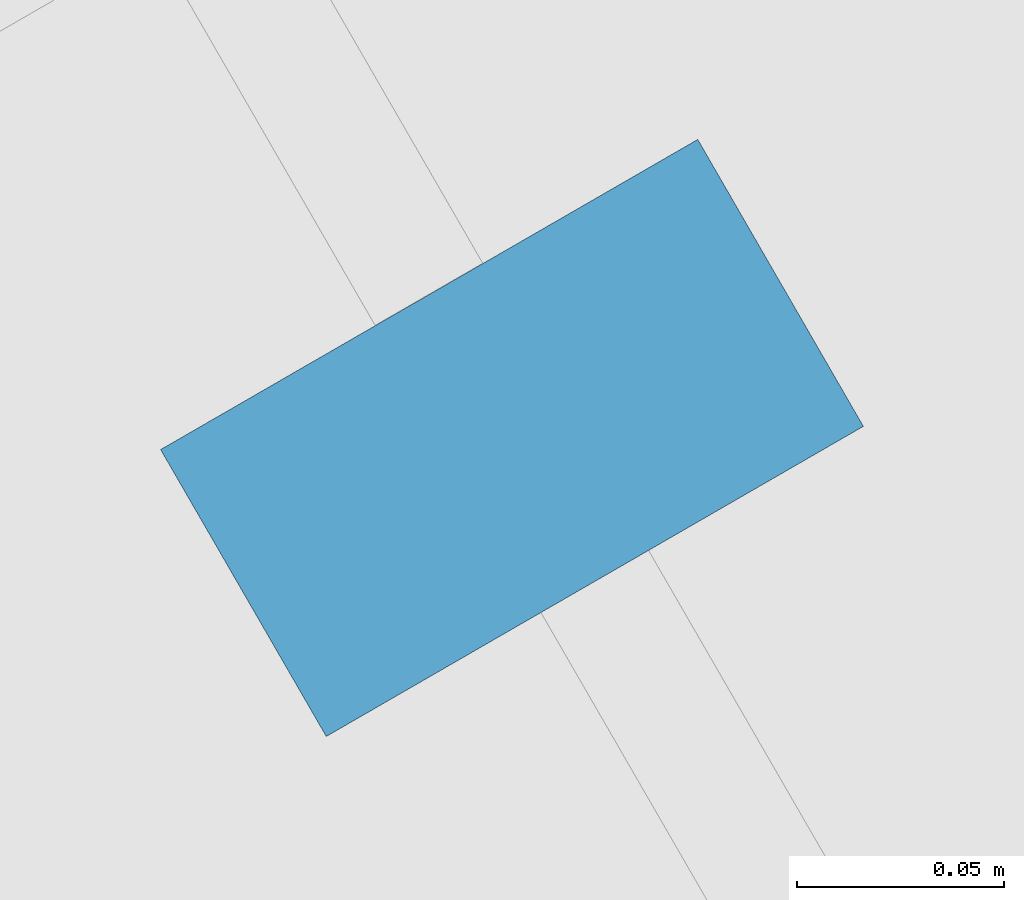
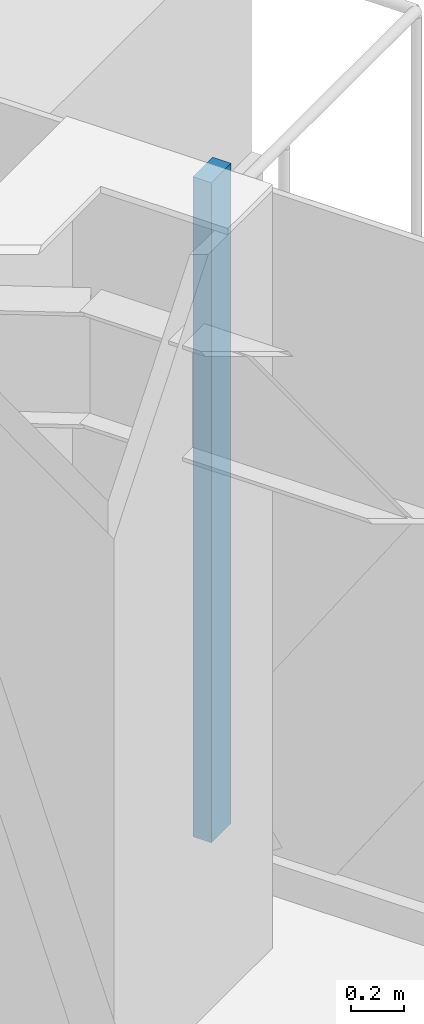
# One storey, part 8 of 24: 1 member, 1 element without a shape of its own.
"""IFC4 building model written with IfcOpenShell, lengths in metres."""

from ifc_helpers import new_model, si_unit, direction, frame, origin, origin_2d, place, context, subcontext, project, spatial, rectangle, extrude, material, layer, layer_set, material_profile, profile_set, type_object, element, aggregate, save


model = new_model("IFC4")

# Units and contexts
model_context = context("Model", 3, precision=1e-05, world=origin(), true_north=direction((0.0, 1.0)))
body_context = subcontext(model_context, "Body", "Model", "MODEL_VIEW")
ifc_project = project(units=[si_unit("LENGTHUNIT", "METRE"), si_unit("AREAUNIT", "SQUARE_METRE"), si_unit("VOLUMEUNIT", "CUBIC_METRE"), si_unit("PLANEANGLEUNIT", "RADIAN"), si_unit("MASSUNIT", "GRAM", prefix="KILO")], contexts=[model_context])

# Site, building, storey
site_placement = place(None, origin())
site = spatial("IfcSite", under=ifc_project, at=site_placement, CompositionType="ELEMENT")
building_placement = place(site_placement, origin())
building = spatial("IfcBuilding", under=site, at=building_placement, Name="Firuza Gate Tower and Library", CompositionType="ELEMENT")
storey_placement = place(building_placement, frame((0.0, 0.0, 323.10009765625)))
storey = spatial("IfcBuildingStorey", under=building, at=storey_placement, Name="L79", CompositionType="ELEMENT", Elevation=323.10009765625)

# Curtain wall, member
ifc_material_1 = material(Name="Aluminium 6063-T6", Category="aluminium")
ifc_layer = layer(ifc_material_1, 0.14990234375)
ifc_layer_set = layer_set([ifc_layer], Name="Unitised curtain wall, residences")
curtain_wall_type = type_object("IfcCurtainWallType", Name="Unitised curtain wall, residences", PredefinedType="NOTDEFINED", material=ifc_layer_set)
curtain_wall_placement = place(storey_placement, origin())
curtain_wall = element("IfcCurtainWall", 1, at=curtain_wall_placement, inside=storey, type_object=curtain_wall_type, Name="CW3 L79 E face", PredefinedType="NOTDEFINED")
ifc_material_2 = material(Name="Aluminium 6063-T6", Category="aluminium")
ifc_material_profile = material_profile(ifc_material_2, rectangle(XDim=0.14990234375, YDim=0.080078125, at=origin_2d()))
ifc_profile_set = profile_set([ifc_material_profile], Name="Aluminium 6063-T6")
member_type = type_object("IfcMemberType", Name="Curtain wall mullion 80x150", PredefinedType="MULLION", material=ifc_profile_set)
member_placement = place(storey_placement, frame((81.521484375, 95.38232421875, 0.14990234375), z_axis=(0.0, 0.0, 1.0), x_axis=(-0.866025403784, -0.5, 0.0)))
member = element("IfcMember", 2, at=member_placement, type_object=member_type, Name="Mullion", PredefinedType="MULLION", context=body_context, shape_type="SweptSolid", body=[
    extrude(rectangle(XDim=0.14990234375, YDim=0.080078125, at=origin_2d()), origin(), (0.0, 0.0, 1.0), 3.050048828125),
])
aggregate(curtain_wall, [member])

save(model, "model.ifc")
